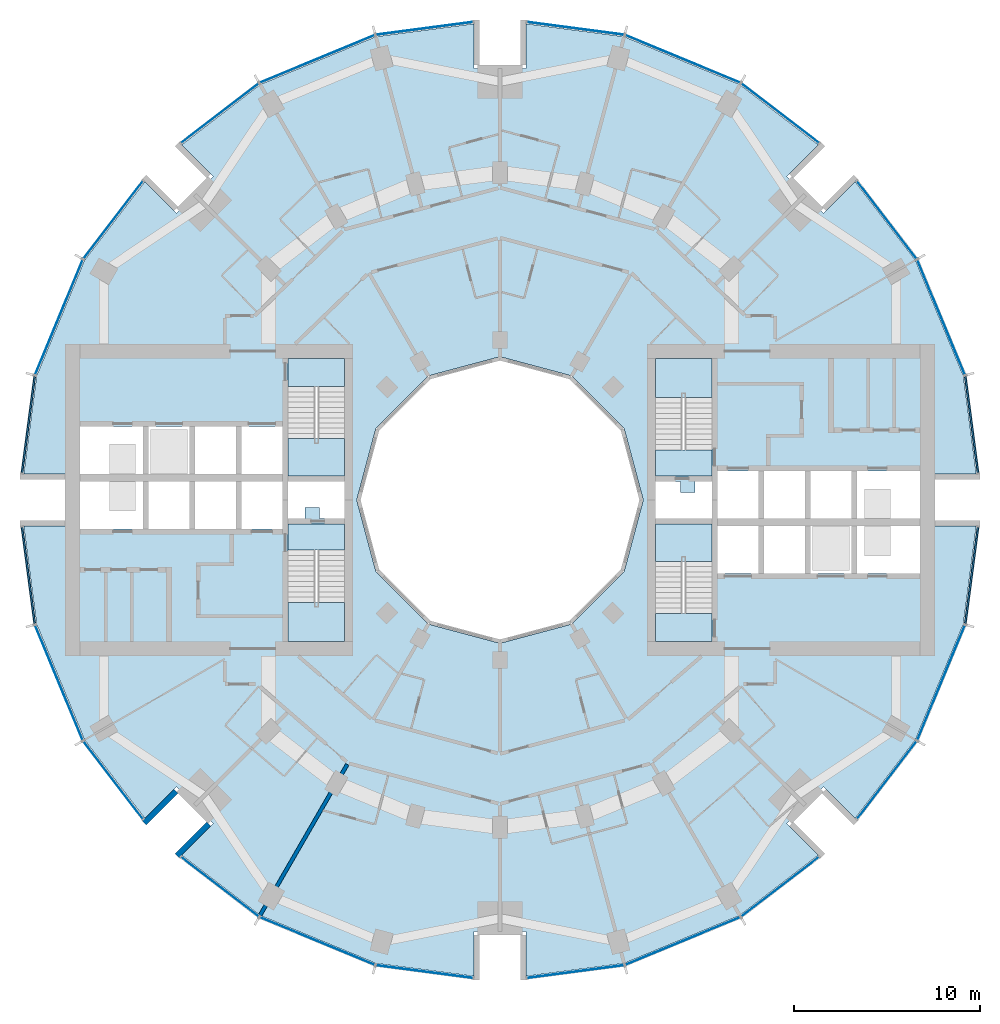
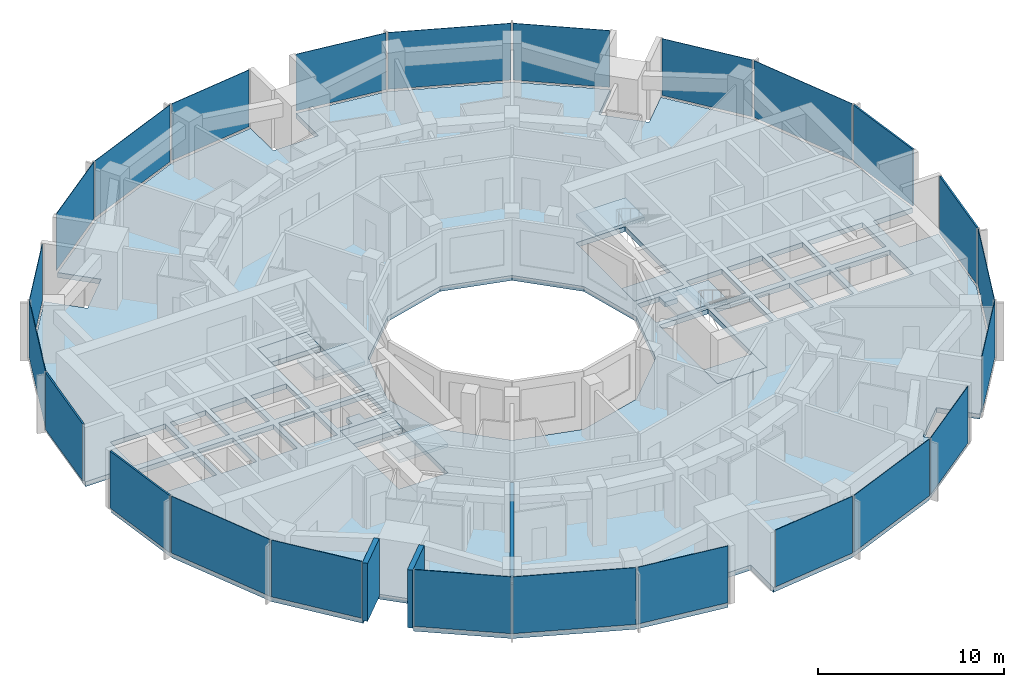
# One storey, part 7 of 15: 24 plates, 9 slabs, 3 walls, 28 elements without a shape of their own.
"""IFC4 building model written with IfcOpenShell, lengths in metres."""

from ifc_helpers import new_model, si_unit, direction, frame, frame_2d, origin, origin_2d, place, context, subcontext, project, spatial, polyline, rectangle, outline, extrude, material, layer, layer_set, type_object, element, aggregate, save


model = new_model("IFC4")

# Units and contexts
model_context = context("Model", 3, precision=1e-05, world=origin(), true_north=direction((0.0, 1.0)))
body_context = subcontext(model_context, "Body", "Model", "MODEL_VIEW")
ifc_project = project(units=[si_unit("LENGTHUNIT", "METRE"), si_unit("AREAUNIT", "SQUARE_METRE"), si_unit("VOLUMEUNIT", "CUBIC_METRE"), si_unit("PLANEANGLEUNIT", "RADIAN"), si_unit("MASSUNIT", "GRAM", prefix="KILO")], contexts=[model_context])

# Site, building, storey
site_placement = place(None, origin())
site = spatial("IfcSite", under=ifc_project, at=site_placement, CompositionType="ELEMENT")
building_placement = place(site_placement, origin())
building = spatial("IfcBuilding", under=site, at=building_placement, Name="Torre Brocal", CompositionType="ELEMENT")
storey_placement = place(building_placement, frame((0.0, 0.0, 32.60009765625)))
storey = spatial("IfcBuildingStorey", under=building, at=storey_placement, Name="L06", CompositionType="ELEMENT", Elevation=32.60009765625)

# Curtain wall, plate
ifc_material_1 = material(Name="Aluminium and glass", Category="aluminium")
ifc_layer_1 = layer(ifc_material_1, 0.199951171875)
ifc_layer_set_1 = layer_set([ifc_layer_1], Name="Aluminium and glass")
curtain_wall_type_1 = type_object("IfcCurtainWallType", Name="CW-1 CURTAIN WALL 3800 HIGH", PredefinedType="NOTDEFINED", material=ifc_layer_set_1)
curtain_wall_1_placement = place(storey_placement, origin())
curtain_wall_1 = element("IfcCurtainWall", 1, at=curtain_wall_1_placement, inside=storey, type_object=curtain_wall_type_1, Name="CW-1 RUN 2", PredefinedType="NOTDEFINED")
ifc_material_2 = material(Name="Glass, dark tinted laminated", Category="glass")
ifc_layer_2 = layer(ifc_material_2, 0.031982421875)
ifc_layer_set_2 = layer_set([ifc_layer_2], Name="Glass, dark tinted laminated")
plate_type_1 = type_object("IfcPlateType", Name="CW-1 GLASS PANEL 32", PredefinedType="CURTAIN_PANEL", material=ifc_layer_set_2)
plate_1_placement = place(storey_placement, frame((103.722900390625, 84.826416015625, 0.080078125), z_axis=(0.0, 0.0, 1.0), x_axis=(-0.382683432333, 0.923879532525, 0.0)))
plate_1 = element("IfcPlate", 2, at=plate_1_placement, type_object=plate_type_1, Name="CW1-1 panel 1.1", PredefinedType="CURTAIN_PANEL", context=body_context, shape_type="SweptSolid", body=[
    extrude(rectangle(XDim=6.64111328125, YDim=0.031982421875, at=origin_2d()), origin(), (0.0, 0.0, 1.0), 3.719970703125),
])
aggregate(curtain_wall_1, [plate_1])

curtain_wall_2_placement = place(storey_placement, origin())
curtain_wall_2 = element("IfcCurtainWall", 3, at=curtain_wall_2_placement, inside=storey, type_object=curtain_wall_type_1, Name="CW-1 RUN 3", PredefinedType="NOTDEFINED")
plate_2_placement = place(storey_placement, frame((100.80126953125, 90.0712890625, 0.080078125), z_axis=(0.0, 0.0, 1.0), x_axis=(-0.60876142905, 0.793353340259, 0.0)))
plate_2 = element("IfcPlate", 4, at=plate_2_placement, type_object=plate_type_1, Name="CW1-1 panel 1.1", PredefinedType="CURTAIN_PANEL", context=body_context, shape_type="SweptSolid", body=[
    extrude(rectangle(XDim=5.22900390625, YDim=0.031982421875, at=origin_2d()), origin(), (0.0, 0.0, 1.0), 3.719970703125),
])
aggregate(curtain_wall_2, [plate_2])

curtain_wall_3_placement = place(storey_placement, origin())
curtain_wall_3 = element("IfcCurtainWall", 5, at=curtain_wall_3_placement, inside=storey, type_object=curtain_wall_type_1, Name="CW-1 RUN 4", PredefinedType="NOTDEFINED")
plate_3_placement = place(storey_placement, frame((95.0712890625, 95.80126953125, 0.080078125), z_axis=(0.0, 0.0, 1.0), x_axis=(-0.793353340259, 0.60876142905, 0.0)))
plate_3 = element("IfcPlate", 6, at=plate_3_placement, type_object=plate_type_1, Name="CW1-1 panel 1.1", PredefinedType="CURTAIN_PANEL", context=body_context, shape_type="SweptSolid", body=[
    extrude(rectangle(XDim=5.22900390625, YDim=0.031982421875, at=origin_2d()), origin(), (0.0, 0.0, 1.0), 3.719970703125),
])
aggregate(curtain_wall_3, [plate_3])

curtain_wall_4_placement = place(storey_placement, origin())
curtain_wall_4 = element("IfcCurtainWall", 7, at=curtain_wall_4_placement, inside=storey, type_object=curtain_wall_type_1, Name="CW-1 RUN 5", PredefinedType="NOTDEFINED")
plate_4_placement = place(storey_placement, frame((89.826416015625, 98.722900390625, 0.080078125), z_axis=(0.0, 0.0, 1.0), x_axis=(-0.923879532525, 0.382683432333, 0.0)))
plate_4 = element("IfcPlate", 8, at=plate_4_placement, type_object=plate_type_1, Name="CW1-1 panel 1.1", PredefinedType="CURTAIN_PANEL", context=body_context, shape_type="SweptSolid", body=[
    extrude(rectangle(XDim=6.64111328125, YDim=0.031982421875, at=origin_2d()), origin(), (0.0, 0.0, 1.0), 3.719970703125),
])
aggregate(curtain_wall_4, [plate_4])

curtain_wall_5_placement = place(storey_placement, origin())
curtain_wall_5 = element("IfcCurtainWall", 9, at=curtain_wall_5_placement, inside=storey, type_object=curtain_wall_type_1, Name="CW-1 RUN 6", PredefinedType="NOTDEFINED")
plate_5_placement = place(storey_placement, frame((84.051513671875, 100.36572265625, 0.080078125), z_axis=(0.0, 0.0, 1.0), x_axis=(-0.991444861374, 0.13052619222, 0.0)))
plate_5 = element("IfcPlate", 10, at=plate_5_placement, type_object=plate_type_1, Name="CW1-1 panel 1.1", PredefinedType="CURTAIN_PANEL", context=body_context, shape_type="SweptSolid", body=[
    extrude(rectangle(XDim=5.22900390625, YDim=0.031982421875, at=origin_2d()), origin(), (0.0, 0.0, 1.0), 3.719970703125),
])
aggregate(curtain_wall_5, [plate_5])

curtain_wall_6_placement = place(storey_placement, origin())
curtain_wall_6 = element("IfcCurtainWall", 11, at=curtain_wall_6_placement, inside=storey, type_object=curtain_wall_type_1, Name="CW-1 RUN 7", PredefinedType="NOTDEFINED")
plate_6_placement = place(storey_placement, frame((75.948486328125, 100.36572265625, 0.080078125), z_axis=(0.0, 0.0, 1.0), x_axis=(-0.991444861374, -0.13052619222, 0.0)))
plate_6 = element("IfcPlate", 12, at=plate_6_placement, type_object=plate_type_1, Name="CW1-1 panel 1.1", PredefinedType="CURTAIN_PANEL", context=body_context, shape_type="SweptSolid", body=[
    extrude(rectangle(XDim=5.22900390625, YDim=0.031982421875, at=origin_2d()), origin(), (0.0, 0.0, 1.0), 3.719970703125),
])
aggregate(curtain_wall_6, [plate_6])

curtain_wall_7_placement = place(storey_placement, origin())
curtain_wall_7 = element("IfcCurtainWall", 13, at=curtain_wall_7_placement, inside=storey, type_object=curtain_wall_type_1, Name="CW-1 RUN 8", PredefinedType="NOTDEFINED")
plate_7_placement = place(storey_placement, frame((70.173583984375, 98.722900390625, 0.080078125), z_axis=(0.0, 0.0, 1.0), x_axis=(-0.923879532525, -0.382683432333, 0.0)))
plate_7 = element("IfcPlate", 14, at=plate_7_placement, type_object=plate_type_1, Name="CW1-1 panel 1.1", PredefinedType="CURTAIN_PANEL", context=body_context, shape_type="SweptSolid", body=[
    extrude(rectangle(XDim=6.64111328125, YDim=0.031982421875, at=origin_2d()), origin(), (0.0, 0.0, 1.0), 3.719970703125),
])
aggregate(curtain_wall_7, [plate_7])

curtain_wall_8_placement = place(storey_placement, origin())
curtain_wall_8 = element("IfcCurtainWall", 15, at=curtain_wall_8_placement, inside=storey, type_object=curtain_wall_type_1, Name="CW-1 RUN 9", PredefinedType="NOTDEFINED")
plate_8_placement = place(storey_placement, frame((64.9287109375, 95.80126953125, 0.080078125), z_axis=(0.0, 0.0, 1.0), x_axis=(-0.793353340259, -0.60876142905, 0.0)))
plate_8 = element("IfcPlate", 16, at=plate_8_placement, type_object=plate_type_1, Name="CW1-1 panel 1.1", PredefinedType="CURTAIN_PANEL", context=body_context, shape_type="SweptSolid", body=[
    extrude(rectangle(XDim=5.22900390625, YDim=0.031982421875, at=origin_2d()), origin(), (0.0, 0.0, 1.0), 3.719970703125),
])
aggregate(curtain_wall_8, [plate_8])

curtain_wall_9_placement = place(storey_placement, origin())
curtain_wall_9 = element("IfcCurtainWall", 17, at=curtain_wall_9_placement, inside=storey, type_object=curtain_wall_type_1, Name="CW-1 RUN 10", PredefinedType="NOTDEFINED")
plate_9_placement = place(storey_placement, frame((59.19873046875, 90.0712890625, 0.080078125), z_axis=(0.0, 0.0, 1.0), x_axis=(-0.60876142905, -0.793353340259, 0.0)))
plate_9 = element("IfcPlate", 18, at=plate_9_placement, type_object=plate_type_1, Name="CW1-1 panel 1.1", PredefinedType="CURTAIN_PANEL", context=body_context, shape_type="SweptSolid", body=[
    extrude(rectangle(XDim=5.22900390625, YDim=0.031982421875, at=origin_2d()), origin(), (0.0, 0.0, 1.0), 3.719970703125),
])
aggregate(curtain_wall_9, [plate_9])

curtain_wall_10_placement = place(storey_placement, origin())
curtain_wall_10 = element("IfcCurtainWall", 19, at=curtain_wall_10_placement, inside=storey, type_object=curtain_wall_type_1, Name="CW-1 RUN 11", PredefinedType="NOTDEFINED")
plate_10_placement = place(storey_placement, frame((56.277099609375, 84.826416015625, 0.080078125), z_axis=(0.0, 0.0, 1.0), x_axis=(-0.382683432333, -0.923879532525, 0.0)))
plate_10 = element("IfcPlate", 20, at=plate_10_placement, type_object=plate_type_1, Name="CW1-1 panel 1.1", PredefinedType="CURTAIN_PANEL", context=body_context, shape_type="SweptSolid", body=[
    extrude(rectangle(XDim=6.64111328125, YDim=0.031982421875, at=origin_2d()), origin(), (0.0, 0.0, 1.0), 3.719970703125),
])
aggregate(curtain_wall_10, [plate_10])

curtain_wall_11_placement = place(storey_placement, origin())
curtain_wall_11 = element("IfcCurtainWall", 21, at=curtain_wall_11_placement, inside=storey, type_object=curtain_wall_type_1, Name="CW-1 RUN 14", PredefinedType="NOTDEFINED")
plate_11_placement = place(storey_placement, frame((56.277099609375, 65.173583984375, 0.080078125), z_axis=(0.0, 0.0, 1.0), x_axis=(0.382683432333, -0.923879532525, 0.0)))
plate_11 = element("IfcPlate", 22, at=plate_11_placement, type_object=plate_type_1, Name="CW1-1 panel 1.1", PredefinedType="CURTAIN_PANEL", context=body_context, shape_type="SweptSolid", body=[
    extrude(rectangle(XDim=6.64111328125, YDim=0.031982421875, at=origin_2d()), origin(), (0.0, 0.0, 1.0), 3.719970703125),
])
aggregate(curtain_wall_11, [plate_11])

curtain_wall_12_placement = place(storey_placement, origin())
curtain_wall_12 = element("IfcCurtainWall", 23, at=curtain_wall_12_placement, inside=storey, type_object=curtain_wall_type_1, Name="CW-1 RUN 15", PredefinedType="NOTDEFINED")
plate_12_placement = place(storey_placement, frame((59.19873046875, 59.9287109375, 0.080078125), z_axis=(0.0, 0.0, 1.0), x_axis=(0.60876142905, -0.793353340259, 0.0)))
plate_12 = element("IfcPlate", 24, at=plate_12_placement, type_object=plate_type_1, Name="CW1-1 panel 1.1", PredefinedType="CURTAIN_PANEL", context=body_context, shape_type="SweptSolid", body=[
    extrude(rectangle(XDim=5.22900390625, YDim=0.031982421875, at=origin_2d()), origin(), (0.0, 0.0, 1.0), 3.719970703125),
])
aggregate(curtain_wall_12, [plate_12])

curtain_wall_13_placement = place(storey_placement, origin())
curtain_wall_13 = element("IfcCurtainWall", 25, at=curtain_wall_13_placement, inside=storey, type_object=curtain_wall_type_1, Name="CW-1 RUN 16", PredefinedType="NOTDEFINED")
plate_13_placement = place(storey_placement, frame((64.9287109375, 54.19873046875, 0.080078125), z_axis=(0.0, 0.0, 1.0), x_axis=(0.793353340259, -0.60876142905, 0.0)))
plate_13 = element("IfcPlate", 26, at=plate_13_placement, type_object=plate_type_1, Name="CW1-1 panel 1.1", PredefinedType="CURTAIN_PANEL", context=body_context, shape_type="SweptSolid", body=[
    extrude(rectangle(XDim=5.22900390625, YDim=0.031982421875, at=origin_2d()), origin(), (0.0, 0.0, 1.0), 3.719970703125),
])
aggregate(curtain_wall_13, [plate_13])

curtain_wall_14_placement = place(storey_placement, origin())
curtain_wall_14 = element("IfcCurtainWall", 27, at=curtain_wall_14_placement, inside=storey, type_object=curtain_wall_type_1, Name="CW-1 RUN 17", PredefinedType="NOTDEFINED")
plate_14_placement = place(storey_placement, frame((70.173583984375, 51.277099609375, 0.080078125), z_axis=(0.0, 0.0, 1.0), x_axis=(0.923879532525, -0.382683432333, 0.0)))
plate_14 = element("IfcPlate", 28, at=plate_14_placement, type_object=plate_type_1, Name="CW1-1 panel 1.1", PredefinedType="CURTAIN_PANEL", context=body_context, shape_type="SweptSolid", body=[
    extrude(rectangle(XDim=6.64111328125, YDim=0.031982421875, at=origin_2d()), origin(), (0.0, 0.0, 1.0), 3.719970703125),
])
aggregate(curtain_wall_14, [plate_14])

curtain_wall_15_placement = place(storey_placement, origin())
curtain_wall_15 = element("IfcCurtainWall", 29, at=curtain_wall_15_placement, inside=storey, type_object=curtain_wall_type_1, Name="CW-1 RUN 18", PredefinedType="NOTDEFINED")
plate_15_placement = place(storey_placement, frame((75.948486328125, 49.63427734375, 0.080078125), z_axis=(0.0, 0.0, 1.0), x_axis=(0.991444861374, -0.13052619222, 0.0)))
plate_15 = element("IfcPlate", 30, at=plate_15_placement, type_object=plate_type_1, Name="CW1-1 panel 1.1", PredefinedType="CURTAIN_PANEL", context=body_context, shape_type="SweptSolid", body=[
    extrude(rectangle(XDim=5.22900390625, YDim=0.031982421875, at=origin_2d()), origin(), (0.0, 0.0, 1.0), 3.719970703125),
])
aggregate(curtain_wall_15, [plate_15])

curtain_wall_16_placement = place(storey_placement, origin())
curtain_wall_16 = element("IfcCurtainWall", 31, at=curtain_wall_16_placement, inside=storey, type_object=curtain_wall_type_1, Name="CW-1 RUN 19", PredefinedType="NOTDEFINED")
plate_16_placement = place(storey_placement, frame((84.051513671875, 49.63427734375, 0.080078125), z_axis=(0.0, 0.0, 1.0), x_axis=(0.991444861374, 0.13052619222, 0.0)))
plate_16 = element("IfcPlate", 32, at=plate_16_placement, type_object=plate_type_1, Name="CW1-1 panel 1.1", PredefinedType="CURTAIN_PANEL", context=body_context, shape_type="SweptSolid", body=[
    extrude(rectangle(XDim=5.22900390625, YDim=0.031982421875, at=origin_2d()), origin(), (0.0, 0.0, 1.0), 3.719970703125),
])
aggregate(curtain_wall_16, [plate_16])

curtain_wall_17_placement = place(storey_placement, origin())
curtain_wall_17 = element("IfcCurtainWall", 33, at=curtain_wall_17_placement, inside=storey, type_object=curtain_wall_type_1, Name="CW-1 RUN 20", PredefinedType="NOTDEFINED")
plate_17_placement = place(storey_placement, frame((89.826416015625, 51.277099609375, 0.080078125), z_axis=(0.0, 0.0, 1.0), x_axis=(0.923879532525, 0.382683432333, 0.0)))
plate_17 = element("IfcPlate", 34, at=plate_17_placement, type_object=plate_type_1, Name="CW1-1 panel 1.1", PredefinedType="CURTAIN_PANEL", context=body_context, shape_type="SweptSolid", body=[
    extrude(rectangle(XDim=6.64111328125, YDim=0.031982421875, at=origin_2d()), origin(), (0.0, 0.0, 1.0), 3.719970703125),
])
aggregate(curtain_wall_17, [plate_17])

curtain_wall_18_placement = place(storey_placement, origin())
curtain_wall_18 = element("IfcCurtainWall", 35, at=curtain_wall_18_placement, inside=storey, type_object=curtain_wall_type_1, Name="CW-1 RUN 21", PredefinedType="NOTDEFINED")
plate_18_placement = place(storey_placement, frame((95.0712890625, 54.19873046875, 0.080078125), z_axis=(0.0, 0.0, 1.0), x_axis=(0.793353340259, 0.60876142905, 0.0)))
plate_18 = element("IfcPlate", 36, at=plate_18_placement, type_object=plate_type_1, Name="CW1-1 panel 1.1", PredefinedType="CURTAIN_PANEL", context=body_context, shape_type="SweptSolid", body=[
    extrude(rectangle(XDim=5.22900390625, YDim=0.031982421875, at=origin_2d()), origin(), (0.0, 0.0, 1.0), 3.719970703125),
])
aggregate(curtain_wall_18, [plate_18])

curtain_wall_19_placement = place(storey_placement, origin())
curtain_wall_19 = element("IfcCurtainWall", 37, at=curtain_wall_19_placement, inside=storey, type_object=curtain_wall_type_1, Name="CW-1 RUN 22", PredefinedType="NOTDEFINED")
plate_19_placement = place(storey_placement, frame((100.80126953125, 59.9287109375, 0.080078125), z_axis=(0.0, 0.0, 1.0), x_axis=(0.60876142905, 0.793353340259, 0.0)))
plate_19 = element("IfcPlate", 38, at=plate_19_placement, type_object=plate_type_1, Name="CW1-1 panel 1.1", PredefinedType="CURTAIN_PANEL", context=body_context, shape_type="SweptSolid", body=[
    extrude(rectangle(XDim=5.22900390625, YDim=0.031982421875, at=origin_2d()), origin(), (0.0, 0.0, 1.0), 3.719970703125),
])
aggregate(curtain_wall_19, [plate_19])

curtain_wall_20_placement = place(storey_placement, origin())
curtain_wall_20 = element("IfcCurtainWall", 39, at=curtain_wall_20_placement, inside=storey, type_object=curtain_wall_type_1, Name="CW-1 RUN 23", PredefinedType="NOTDEFINED")
plate_20_placement = place(storey_placement, frame((103.722900390625, 65.173583984375, 0.080078125), z_axis=(0.0, 0.0, 1.0), x_axis=(0.382683432333, 0.923879532525, 0.0)))
plate_20 = element("IfcPlate", 40, at=plate_20_placement, type_object=plate_type_1, Name="CW1-1 panel 1.1", PredefinedType="CURTAIN_PANEL", context=body_context, shape_type="SweptSolid", body=[
    extrude(rectangle(XDim=6.64111328125, YDim=0.031982421875, at=origin_2d()), origin(), (0.0, 0.0, 1.0), 3.719970703125),
])
aggregate(curtain_wall_20, [plate_20])

ifc_material_3 = material(Name="Aluminium and glass", Category="aluminium")
ifc_layer_3 = layer(ifc_material_3, 0.199951171875)
ifc_layer_set_3 = layer_set([ifc_layer_3], Name="Aluminium and glass")
curtain_wall_type_2 = type_object("IfcCurtainWallType", Name="CW-1B CURTAIN WALL 3800 HIGH", PredefinedType="NOTDEFINED", material=ifc_layer_set_3)
curtain_wall_21_placement = place(storey_placement, origin())
curtain_wall_21 = element("IfcCurtainWall", 41, at=curtain_wall_21_placement, inside=storey, type_object=curtain_wall_type_2, Name="CW-1B RUN 1", PredefinedType="NOTDEFINED")
ifc_material_4 = material(Name="Aluminium composite panel", Category="aluminium")
ifc_layer_4 = layer(ifc_material_4, 0.10009765625)
ifc_layer_set_4 = layer_set([ifc_layer_4], Name="Aluminium composite panel")
plate_type_2 = type_object("IfcPlateType", Name="CW-1B OPAQUE PANEL 100", PredefinedType="CURTAIN_PANEL", material=ifc_layer_set_4)
plate_21_placement = place(storey_placement, frame((105.36572265625, 79.051513671875, 0.080078125), z_axis=(0.0, 0.0, 1.0), x_axis=(-0.13052619222, 0.991444861374, 0.0)))
plate_21 = element("IfcPlate", 42, at=plate_21_placement, type_object=plate_type_2, Name="CW1B-1 panel 1.1", PredefinedType="CURTAIN_PANEL", context=body_context, shape_type="SweptSolid", body=[
    extrude(rectangle(XDim=5.22900390625, YDim=0.10009765625, at=origin_2d()), origin(), (0.0, 0.0, 1.0), 3.719970703125),
])
aggregate(curtain_wall_21, [plate_21])

curtain_wall_22_placement = place(storey_placement, origin())
curtain_wall_22 = element("IfcCurtainWall", 43, at=curtain_wall_22_placement, inside=storey, type_object=curtain_wall_type_2, Name="CW-1B RUN 12", PredefinedType="NOTDEFINED")
plate_22_placement = place(storey_placement, frame((54.63427734375, 79.051513671875, 0.080078125), z_axis=(0.0, 0.0, 1.0), x_axis=(-0.13052619222, -0.991444861374, 0.0)))
plate_22 = element("IfcPlate", 44, at=plate_22_placement, type_object=plate_type_2, Name="CW1B-1 panel 1.1", PredefinedType="CURTAIN_PANEL", context=body_context, shape_type="SweptSolid", body=[
    extrude(rectangle(XDim=5.22900390625, YDim=0.10009765625, at=origin_2d()), origin(), (0.0, 0.0, 1.0), 3.719970703125),
])
aggregate(curtain_wall_22, [plate_22])

curtain_wall_23_placement = place(storey_placement, origin())
curtain_wall_23 = element("IfcCurtainWall", 45, at=curtain_wall_23_placement, inside=storey, type_object=curtain_wall_type_2, Name="CW-1B RUN 13", PredefinedType="NOTDEFINED")
plate_23_placement = place(storey_placement, frame((54.63427734375, 70.948486328125, 0.080078125), z_axis=(0.0, 0.0, 1.0), x_axis=(0.13052619222, -0.991444861374, 0.0)))
plate_23 = element("IfcPlate", 46, at=plate_23_placement, type_object=plate_type_2, Name="CW1B-1 panel 1.1", PredefinedType="CURTAIN_PANEL", context=body_context, shape_type="SweptSolid", body=[
    extrude(rectangle(XDim=5.22900390625, YDim=0.10009765625, at=origin_2d()), origin(), (0.0, 0.0, 1.0), 3.719970703125),
])
aggregate(curtain_wall_23, [plate_23])

curtain_wall_24_placement = place(storey_placement, origin())
curtain_wall_24 = element("IfcCurtainWall", 47, at=curtain_wall_24_placement, inside=storey, type_object=curtain_wall_type_2, Name="CW-1B RUN 24", PredefinedType="NOTDEFINED")
plate_24_placement = place(storey_placement, frame((105.36572265625, 70.948486328125, 0.080078125), z_axis=(0.0, 0.0, 1.0), x_axis=(0.13052619222, 0.991444861374, 0.0)))
plate_24 = element("IfcPlate", 48, at=plate_24_placement, type_object=plate_type_2, Name="CW1B-1 panel 1.1", PredefinedType="CURTAIN_PANEL", context=body_context, shape_type="SweptSolid", body=[
    extrude(rectangle(XDim=5.22900390625, YDim=0.10009765625, at=origin_2d()), origin(), (0.0, 0.0, 1.0), 3.719970703125),
])
aggregate(curtain_wall_24, [plate_24])

# Stair, slab
ifc_material_5 = material(Name="Concrete C50", Category="concrete")
stair_type = type_object("IfcStairType", Name="EXIT STAIR", PredefinedType="HALF_TURN_STAIR", material=ifc_material_5)
stair_1_placement = place(storey_placement, origin())
stair_1 = element("IfcStair", 49, at=stair_1_placement, inside=storey, type_object=stair_type, Name="EXIT STAIR ST1", PredefinedType="HALF_TURN_STAIR")
ifc_material_6 = material(Name="Concrete C50", Category="concrete")
ifc_layer_5 = layer(ifc_material_6, 0.320068359375)
ifc_layer_set_5 = layer_set([ifc_layer_5], Name="Concrete C50")
slab_type_1 = type_object("IfcSlabType", Name="FLOOR LANDING 320", PredefinedType="LANDING", material=ifc_layer_set_5)
slab_1_placement = place(storey_placement, frame((0.0, 0.0, -0.320068359375)))
slab_1 = element("IfcSlab", 50, at=slab_1_placement, type_object=slab_type_1, Name="ST1 landing 1", PredefinedType="LANDING", context=body_context, shape_type="SweptSolid", body=[
    extrude(outline(polyline([(88.35009765625, 76.300048828125), (91.39990234375, 76.300048828125), (91.39990234375, 77.699951171875), (88.35009765625, 77.699951171875), (88.35009765625, 76.300048828125)])), origin(), (0.0, 0.0, 1.0), 0.320068359375),
])

stair_2_placement = place(storey_placement, origin())
stair_2 = element("IfcStair", 51, at=stair_2_placement, inside=storey, type_object=stair_type, Name="EXIT STAIR ST2", PredefinedType="HALF_TURN_STAIR")
slab_2_placement = place(storey_placement, frame((0.0, 0.0, -0.320068359375)))
slab_2 = element("IfcSlab", 52, at=slab_2_placement, type_object=slab_type_1, Name="ST2 landing 1", PredefinedType="LANDING", context=body_context, shape_type="SweptSolid", body=[
    extrude(outline(polyline([(88.35009765625, 67.39990234375), (91.39990234375, 67.39990234375), (91.39990234375, 68.89990234375), (88.35009765625, 68.89990234375), (88.35009765625, 67.39990234375)])), origin(), (0.0, 0.0, 1.0), 0.320068359375),
])

stair_3_placement = place(storey_placement, origin())
stair_3 = element("IfcStair", 53, at=stair_3_placement, inside=storey, type_object=stair_type, Name="EXIT STAIR ST3", PredefinedType="HALF_TURN_STAIR")
slab_3_placement = place(storey_placement, frame((0.0, 0.0, -0.320068359375)))
slab_3 = element("IfcSlab", 54, at=slab_3_placement, type_object=slab_type_1, Name="ST3 landing 1", PredefinedType="LANDING", context=body_context, shape_type="SweptSolid", body=[
    extrude(outline(polyline([(71.64990234375, 73.699951171875), (68.60009765625, 73.699951171875), (68.60009765625, 72.300048828125), (71.64990234375, 72.300048828125), (71.64990234375, 73.699951171875)])), origin(), (0.0, 0.0, 1.0), 0.320068359375),
])

stair_4_placement = place(storey_placement, origin())
stair_4 = element("IfcStair", 55, at=stair_4_placement, inside=storey, type_object=stair_type, Name="EXIT STAIR ST4", PredefinedType="HALF_TURN_STAIR")
slab_4_placement = place(storey_placement, frame((0.0, 0.0, -0.320068359375)))
slab_4 = element("IfcSlab", 56, at=slab_4_placement, type_object=slab_type_1, Name="ST4 landing 1", PredefinedType="LANDING", context=body_context, shape_type="SweptSolid", body=[
    extrude(outline(polyline([(71.64990234375, 82.60009765625), (68.60009765625, 82.60009765625), (68.60009765625, 81.10009765625), (71.64990234375, 81.10009765625), (71.64990234375, 82.60009765625)])), origin(), (0.0, 0.0, 1.0), 0.320068359375),
])

# Slab
ifc_material_7 = material(Name="Concrete C50", Category="concrete")
ifc_layer_6 = layer(ifc_material_7, 0.199951171875)
ifc_layer_set_6 = layer_set([ifc_layer_6], Name="Concrete C50")
slab_type_2 = type_object("IfcSlabType", Name="MID LANDING +1900", PredefinedType="LANDING", material=ifc_layer_set_6)
slab_5_placement = place(storey_placement, frame((0.0, 0.0, 1.699951171875)))
slab_5 = element("IfcSlab", 57, at=slab_5_placement, type_object=slab_type_2, Name="ST1 landing 2", PredefinedType="LANDING", context=body_context, shape_type="SweptSolid", body=[
    extrude(outline(polyline([(88.35009765625, 80.5), (91.39990234375, 80.5), (91.39990234375, 82.60009765625), (88.35009765625, 82.60009765625), (88.35009765625, 80.5)])), origin(), (0.0, 0.0, 1.0), 0.199951171875),
])

aggregate(stair_1, [slab_1, slab_5])

slab_6_placement = place(storey_placement, frame((0.0, 0.0, 1.699951171875)))
slab_6 = element("IfcSlab", 58, at=slab_6_placement, type_object=slab_type_2, Name="ST2 landing 2", PredefinedType="LANDING", context=body_context, shape_type="SweptSolid", body=[
    extrude(outline(polyline([(88.35009765625, 71.699951171875), (91.39990234375, 71.699951171875), (91.39990234375, 73.699951171875), (88.35009765625, 73.699951171875), (88.35009765625, 71.699951171875)])), origin(), (0.0, 0.0, 1.0), 0.199951171875),
])

aggregate(stair_2, [slab_2, slab_6])

slab_7_placement = place(storey_placement, frame((0.0, 0.0, 1.699951171875)))
slab_7 = element("IfcSlab", 59, at=slab_7_placement, type_object=slab_type_2, Name="ST3 landing 2", PredefinedType="LANDING", context=body_context, shape_type="SweptSolid", body=[
    extrude(outline(polyline([(71.64990234375, 69.5), (68.60009765625, 69.5), (68.60009765625, 67.39990234375), (71.64990234375, 67.39990234375), (71.64990234375, 69.5)])), origin(), (0.0, 0.0, 1.0), 0.199951171875),
])

aggregate(stair_3, [slab_3, slab_7])

slab_8_placement = place(storey_placement, frame((0.0, 0.0, 1.699951171875)))
slab_8 = element("IfcSlab", 60, at=slab_8_placement, type_object=slab_type_2, Name="ST4 landing 2", PredefinedType="LANDING", context=body_context, shape_type="SweptSolid", body=[
    extrude(outline(polyline([(71.64990234375, 78.300048828125), (68.60009765625, 78.300048828125), (68.60009765625, 76.300048828125), (71.64990234375, 76.300048828125), (71.64990234375, 78.300048828125)])), origin(), (0.0, 0.0, 1.0), 0.199951171875),
])

aggregate(stair_4, [slab_4, slab_8])

ifc_material_8 = material(Name="Concrete C45", Category="concrete")
ifc_layer_7 = layer(ifc_material_8, 0.320068359375)
ifc_layer_set_7 = layer_set([ifc_layer_7], Name="Concrete C45")
slab_type_3 = type_object("IfcSlabType", Name="PT FLOOR SLAB 320 C45", PredefinedType="FLOOR", material=ifc_layer_set_7)
slab_9_placement = place(storey_placement, frame((0.0, 0.0, -0.320068359375)))
element("IfcSlab", 61, at=slab_9_placement, inside=storey, type_object=slab_type_3, Name="Slab ST-05", PredefinedType="FLOOR", context=body_context, shape_type="SweptSolid", body=[
    extrude(outline(polyline([(103.199951171875, 76.39990234375), (103.199951171875, 73.60009765625), (105.614013671875, 73.60009765625), (104.919189453125, 68.322998046875), (102.342041015625, 62.100830078125), (99.101806640625, 57.878173828125), (97.394775390625, 59.5849609375), (95.4150390625, 57.605224609375), (97.121826171875, 55.898193359375), (92.899169921875, 52.657958984375), (86.677001953125, 50.080810546875), (81.39990234375, 49.385986328125), (81.39990234375, 51.800048828125), (78.60009765625, 51.800048828125), (78.60009765625, 49.385986328125), (73.322998046875, 50.080810546875), (67.100830078125, 52.657958984375), (62.878173828125, 55.898193359375), (64.5849609375, 57.605224609375), (62.605224609375, 59.5849609375), (60.898193359375, 57.878173828125), (57.657958984375, 62.100830078125), (55.080810546875, 68.322998046875), (54.385986328125, 73.60009765625), (56.800048828125, 73.60009765625), (56.800048828125, 76.39990234375), (54.385986328125, 76.39990234375), (55.080810546875, 81.677001953125), (57.657958984375, 87.899169921875), (60.898193359375, 92.121826171875), (62.605224609375, 90.4150390625), (64.5849609375, 92.394775390625), (62.878173828125, 94.101806640625), (67.100830078125, 97.342041015625), (73.322998046875, 99.919189453125), (78.60009765625, 100.614013671875), (78.60009765625, 98.199951171875), (81.39990234375, 98.199951171875), (81.39990234375, 100.614013671875), (86.677001953125, 99.919189453125), (92.899169921875, 97.342041015625), (97.121826171875, 94.101806640625), (95.4150390625, 92.394775390625), (97.394775390625, 90.4150390625), (99.101806640625, 92.121826171875), (102.342041015625, 87.899169921875), (104.919189453125, 81.677001953125), (105.614013671875, 76.39990234375), (103.199951171875, 76.39990234375)]), holes=[polyline([(102.60009765625, 74.0), (102.60009765625, 76.550048828125), (99.199951171875, 76.550048828125), (99.199951171875, 74.0), (102.60009765625, 74.0)]), polyline([(102.60009765625, 71.050048828125), (102.60009765625, 73.60009765625), (99.199951171875, 73.60009765625), (99.199951171875, 71.050048828125), (102.60009765625, 71.050048828125)]), polyline([(98.89990234375, 76.550048828125), (96.699951171875, 76.550048828125), (96.699951171875, 74.0), (98.89990234375, 74.0), (98.89990234375, 76.550048828125)]), polyline([(98.89990234375, 71.050048828125), (98.89990234375, 73.60009765625), (96.699951171875, 73.60009765625), (96.699951171875, 71.050048828125), (98.89990234375, 71.050048828125)]), polyline([(96.39990234375, 73.60009765625), (94.199951171875, 73.60009765625), (94.199951171875, 71.050048828125), (96.39990234375, 71.050048828125), (96.39990234375, 73.60009765625)]), polyline([(96.39990234375, 74.0), (96.39990234375, 76.550048828125), (94.199951171875, 76.550048828125), (94.199951171875, 74.0), (96.39990234375, 74.0)]), polyline([(93.89990234375, 73.60009765625), (91.699951171875, 73.60009765625), (91.699951171875, 71.050048828125), (93.89990234375, 71.050048828125), (93.89990234375, 73.60009765625)]), polyline([(93.89990234375, 74.0), (93.89990234375, 76.550048828125), (91.699951171875, 76.550048828125), (91.699951171875, 74.0), (93.89990234375, 74.0)]), polyline([(91.39990234375, 76.300048828125), (91.39990234375, 82.60009765625), (88.35009765625, 82.60009765625), (88.35009765625, 76.300048828125), (91.39990234375, 76.300048828125)]), polyline([(91.39990234375, 73.699951171875), (88.35009765625, 73.699951171875), (88.35009765625, 67.39990234375), (91.39990234375, 67.39990234375), (91.39990234375, 73.699951171875)]), polyline([(89.699951171875, 76.0), (88.35009765625, 76.0), (88.35009765625, 74.0), (91.39990234375, 74.0), (91.39990234375, 76.0), (90.5, 76.0), (90.5, 75.39990234375), (89.699951171875, 75.39990234375), (89.699951171875, 76.0)]), polyline([(80.0, 82.70703125), (76.146484375, 81.674560546875), (73.325439453125, 78.853515625), (72.29296875, 75.0), (73.325439453125, 71.146484375), (76.146484375, 68.325439453125), (80.0, 67.29296875), (83.853515625, 68.325439453125), (86.674560546875, 71.146484375), (87.70703125, 75.0), (86.674560546875, 78.853515625), (83.853515625, 81.674560546875), (80.0, 82.70703125)]), polyline([(68.60009765625, 82.60009765625), (68.60009765625, 76.300048828125), (71.64990234375, 76.300048828125), (71.64990234375, 82.60009765625), (68.60009765625, 82.60009765625)]), polyline([(70.300048828125, 74.0), (71.64990234375, 74.0), (71.64990234375, 76.0), (68.60009765625, 76.0), (68.60009765625, 74.0), (69.5, 74.0), (69.5, 74.60009765625), (70.300048828125, 74.60009765625), (70.300048828125, 74.0)]), polyline([(68.60009765625, 67.39990234375), (71.64990234375, 67.39990234375), (71.64990234375, 73.699951171875), (68.60009765625, 73.699951171875), (68.60009765625, 67.39990234375)]), polyline([(66.10009765625, 78.949951171875), (66.10009765625, 76.39990234375), (68.300048828125, 76.39990234375), (68.300048828125, 78.949951171875), (66.10009765625, 78.949951171875)]), polyline([(66.10009765625, 76.0), (66.10009765625, 73.449951171875), (68.300048828125, 73.449951171875), (68.300048828125, 76.0), (66.10009765625, 76.0)]), polyline([(63.60009765625, 76.0), (63.60009765625, 73.449951171875), (65.800048828125, 73.449951171875), (65.800048828125, 76.0), (63.60009765625, 76.0)]), polyline([(63.60009765625, 76.39990234375), (65.800048828125, 76.39990234375), (65.800048828125, 78.949951171875), (63.60009765625, 78.949951171875), (63.60009765625, 76.39990234375)]), polyline([(61.10009765625, 78.949951171875), (61.10009765625, 76.39990234375), (63.300048828125, 76.39990234375), (63.300048828125, 78.949951171875), (61.10009765625, 78.949951171875)]), polyline([(61.10009765625, 73.449951171875), (63.300048828125, 73.449951171875), (63.300048828125, 76.0), (61.10009765625, 76.0), (61.10009765625, 73.449951171875)]), polyline([(57.39990234375, 73.449951171875), (60.800048828125, 73.449951171875), (60.800048828125, 76.0), (57.39990234375, 76.0), (57.39990234375, 73.449951171875)]), polyline([(57.39990234375, 78.949951171875), (57.39990234375, 76.39990234375), (60.800048828125, 76.39990234375), (60.800048828125, 78.949951171875), (57.39990234375, 78.949951171875)])]), origin(), (0.0, 0.0, 1.0), 0.320068359375),
])

# Walls
ifc_material_9 = material(Name="Concrete C80", Category="concrete")
ifc_layer_8 = layer(ifc_material_9, 0.300048828125)
ifc_layer_set_8 = layer_set([ifc_layer_8], Name="Concrete C80")
wall_type_1 = type_object("IfcWallType", Name="NOTCH RETURN WALL 300 C80", PredefinedType="NOTDEFINED", material=ifc_layer_set_8)
for number, where, z_axis, x_axis, name in (
    (62, (62.56982421875, 59.337646484375, 0.0), (0.0, 0.0, 1.0), (-0.707106781187, -0.707106781187, 0.0), "NOTCH RETURN WALL"),
    (63, (64.337646484375, 57.56982421875, 0.0), (0.0, 0.0, 1.0), (-0.707106781187, -0.707106781187, 0.0), "NOTCH RETURN WALL"),
):
    element("IfcWall", number, at=place(storey_placement, frame(where, z_axis=z_axis, x_axis=x_axis)), inside=storey, type_object=wall_type_1, Name=name, PredefinedType="NOTDEFINED", context=body_context, shape_type="SweptSolid", body=[
        extrude(rectangle(XDim=2.415771484375, YDim=0.300048828125, at=frame_2d((1.2080078125, 0.0))), origin(), (0.0, 0.0, 1.0), 3.7998046875),
    ])
ifc_material_10 = material(Name="Gypsum board", Category="Gypsum")
ifc_layer_9 = layer(ifc_material_10, 0.199951171875)
ifc_layer_set_9 = layer_set([ifc_layer_9], Name="Gypsum board")
wall_type_2 = type_object("IfcWallType", Name="PARTITION 200 EI60", PredefinedType="PARTITIONING", material=ifc_layer_set_9)
wall_placement = place(storey_placement, frame((67.095947265625, 52.66162109375, 0.0), z_axis=(0.0, 0.0, 1.0), x_axis=(0.500242450002, 0.865885379953, 0.0)))
element("IfcWall", 64, at=wall_placement, inside=storey, type_object=wall_type_2, Name="BATHROOM WALL", PredefinedType="PARTITIONING", context=body_context, shape_type="SweptSolid", body=[
    extrude(rectangle(XDim=9.373779296875, YDim=0.199951171875, at=frame_2d((4.68701171875, 0.0))), origin(), (0.0, 0.0, 1.0), 3.349853515625),
])

save(model, "model.ifc")
